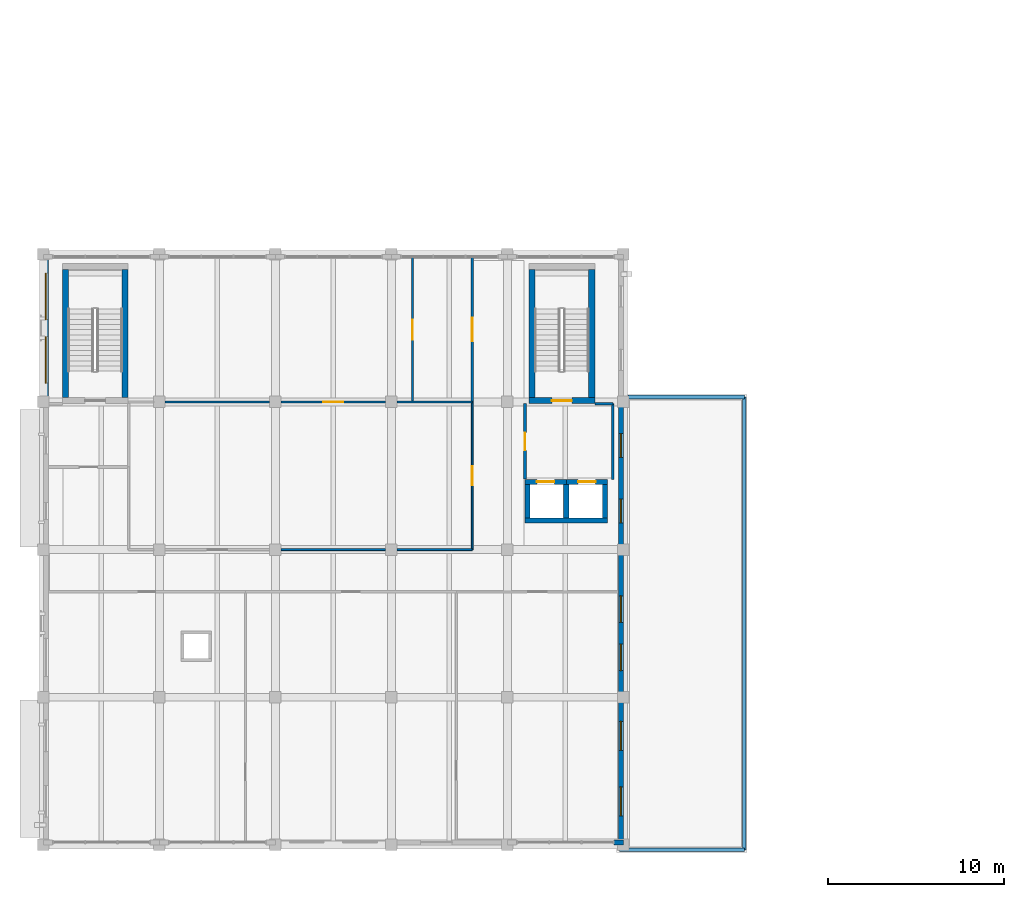
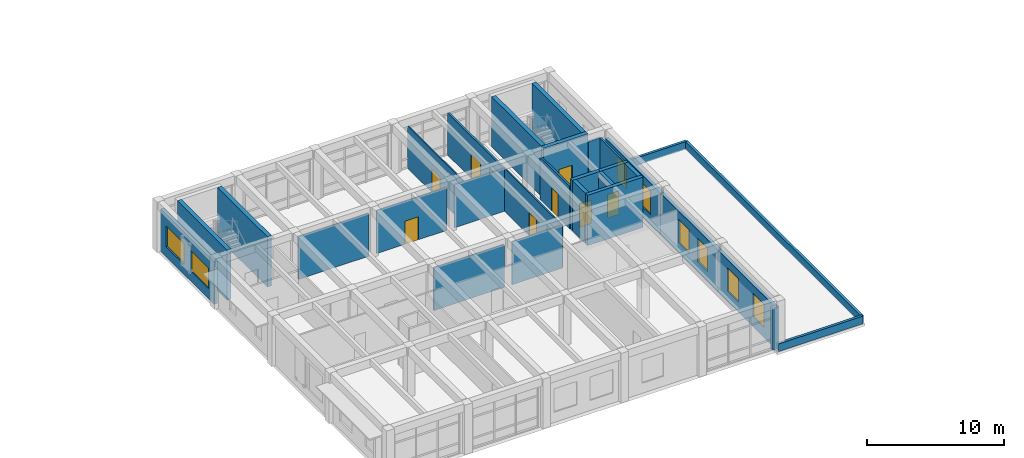
# One storey, part 27 of 50: 30 walls, 8 doors, 8 windows, 16 openings.
"""IFC4 building model written with IfcOpenShell, lengths in metres."""

from ifc_helpers import new_model, si_unit, direction, frame, frame_2d, origin, place, context, subcontext, project, spatial, rectangle, extrude, material, layer, layer_set, type_object, element, fill, save


model = new_model("IFC4")

# Units and contexts
model_context = context("Model", 3, precision=1e-05, world=origin(), true_north=direction((0.0, 1.0)))
body_context = subcontext(model_context, "Body", "Model", "MODEL_VIEW")
ifc_project = project(units=[si_unit("LENGTHUNIT", "METRE"), si_unit("AREAUNIT", "SQUARE_METRE"), si_unit("VOLUMEUNIT", "CUBIC_METRE"), si_unit("PLANEANGLEUNIT", "RADIAN"), si_unit("MASSUNIT", "GRAM", prefix="KILO")], contexts=[model_context])

# Site, building, storey
site_placement = place(None, origin())
site = spatial("IfcSite", under=ifc_project, at=site_placement, CompositionType="ELEMENT")
building_placement = place(site_placement, origin())
building = spatial("IfcBuilding", under=site, at=building_placement, Name="Kolvaren Faculty of Natural Sciences", CompositionType="ELEMENT")
storey_placement = place(building_placement, frame((0.0, 0.0, 15.0)))
storey = spatial("IfcBuildingStorey", under=building, at=storey_placement, Name="L03", CompositionType="ELEMENT", Elevation=15.0)

# Wall, opening, door
ifc_material_1 = material(Name="Acoustic mineral-wool insulated gypsum partition")
ifc_layer_1 = layer(ifc_material_1, 0.159912109375)
ifc_layer_set_1 = layer_set([ifc_layer_1], Name="Acoustic mineral-wool insulated gypsum partition")
wall_type_1 = type_object("IfcWallType", Name="ClassroomPartitionWall_160", PredefinedType="PARTITIONING", material=ifc_layer_set_1)
wall_1_placement = place(storey_placement, frame((31.199951171875, 42.0400390625, 0.0), z_axis=(0.0, 0.0, 1.0), x_axis=(0.0, -1.0, 0.0)))
wall_1 = element("IfcWall", 1, at=wall_1_placement, inside=storey, type_object=wall_type_1, Name="L03 interior partition PW-160", PredefinedType="PARTITIONING", context=body_context, shape_type="SweptSolid", body=[
    extrude(rectangle(XDim=8.239990234375, YDim=0.159912109375, at=frame_2d((4.1201171875, 0.0))), origin(), (0.0, 0.0, 1.0), 3.784912109375),
])
opening_1_placement = place(wall_1_placement, frame((3.43994140625, 0.0, 0.0)))
opening_1 = element("IfcOpeningElement", 2, at=opening_1_placement, cuts=wall_1, Name="Opening ID-26", PredefinedType="OPENING", context=body_context, shape_type="SweptSolid", body=[
    extrude(rectangle(XDim=1.360107421875, YDim=2.139892578125, at=frame_2d((0.68017578125, 1.06982421875))), frame((0.0, 0.08984375, 0.0), z_axis=(0.0, -1.0, 0.0), x_axis=(1.0, 0.0, 0.0)), (0.0, 0.0, 1.0), 0.179931640625),
])
ifc_material_2 = material(Name="Thermally broken anodised aluminium glazed door", Category="aluminium")
door_type_1 = type_object("IfcDoorType", Name="InteriorRoomDoor_1360x2140", OperationType="DOUBLE_DOOR_SINGLE_SWING", PredefinedType="DOOR", material=ifc_material_2)
door_1_placement = place(opening_1_placement, origin())
door_1 = element("IfcDoor", 3, at=door_1_placement, inside=storey, type_object=door_type_1, Name="D-L03-0262", OperationType="DOUBLE_DOOR_SINGLE_SWING", OverallHeight=2.139892578125, OverallWidth=1.360107421875, PredefinedType="DOOR", context=body_context, shape_type="SweptSolid", body=[
    extrude(rectangle(XDim=1.360107421875, YDim=2.139892578125, at=frame_2d((0.68017578125, 1.06982421875))), frame((0.0, 0.02490234375, 0.0), z_axis=(0.0, -1.0, 0.0), x_axis=(1.0, 0.0, 0.0)), (0.0, 0.0, 1.0), 0.050048828125),
])
fill(opening_1, door_1)

ifc_material_3 = material(Name="Concrete C40/50", Category="concrete")
ifc_layer_2 = layer(ifc_material_3, 0.35009765625)
ifc_layer_set_2 = layer_set([ifc_layer_2], Name="Concrete C40/50")
wall_type_2 = type_object("IfcWallType", Name="CoreShearWall_350", PredefinedType="SHEAR", material=ifc_layer_set_2)
wall_2_placement = place(storey_placement, frame((34.425048828125, 33.875, 0.0), z_axis=(0.0, 0.0, 1.0), x_axis=(1.0, 0.0, 0.0)))
wall_2 = element("IfcWall", 4, at=wall_2_placement, inside=storey, type_object=wall_type_2, Name="L03 CORE-C4 stair shear wall S", PredefinedType="SHEAR", context=body_context, shape_type="SweptSolid", body=[
    extrude(rectangle(XDim=3.75, YDim=0.35009765625, at=frame_2d((1.875, 0.0))), origin(), (0.0, 0.0, 1.0), 4.5),
])
opening_2_placement = place(wall_2_placement, frame((1.300048828125, 0.0, 0.0)))
opening_2 = element("IfcOpeningElement", 5, at=opening_2_placement, cuts=wall_2, Name="Opening FD90", PredefinedType="OPENING", context=body_context, shape_type="SweptSolid", body=[
    extrude(rectangle(XDim=1.14990234375, YDim=2.14990234375, at=frame_2d((0.574951171875, 1.074951171875))), frame((0.0, 0.18505859375, 0.0), z_axis=(0.0, -1.0, 0.0), x_axis=(1.0, 0.0, 0.0)), (0.0, 0.0, 1.0), 0.3701171875),
])
ifc_material_4 = material(Name="Fire-rated solid-core hardwood door leaf in steel frame", Category="steel")
door_type_2 = type_object("IfcDoorType", Name="StairCoreFireDoor_1150x2150", OperationType="NOTDEFINED", PredefinedType="DOOR", material=ifc_material_4)
door_2_placement = place(opening_2_placement, origin())
door_2 = element("IfcDoor", 6, at=door_2_placement, inside=storey, type_object=door_type_2, Name="D-ST-ST-4-L03", OperationType="SINGLE_SWING_LEFT", OverallHeight=2.14990234375, OverallWidth=1.14990234375, PredefinedType="DOOR", context=body_context, shape_type="SweptSolid", body=[
    extrude(rectangle(XDim=1.14990234375, YDim=2.14990234375, at=frame_2d((0.574951171875, 1.074951171875))), frame((0.0, 0.02490234375, 0.0), z_axis=(0.0, -1.0, 0.0), x_axis=(1.0, 0.0, 0.0)), (0.0, 0.0, 1.0), 0.050048828125),
])
fill(opening_2, door_2)

# Walls
for number, where, z_axis, x_axis, name in (
    (7, (34.60009765625, 34.050048828125, 0.0), (0.0, 0.0, 1.0), (0.0, 1.0, 0.0), "L03 CORE-C4 stair shear wall W"),
    (8, (38.0, 34.050048828125, 0.0), (0.0, 0.0, 1.0), (0.0, 1.0, 0.0), "L03 CORE-C4 stair shear wall E"),
    (9, (8.050048828125, 34.050048828125, 0.0), (0.0, 0.0, 1.0), (0.0, 1.0, 0.0), "L03 CORE-C8 stair shear wall W"),
    (10, (11.449951171875, 34.050048828125, 0.0), (0.0, 0.0, 1.0), (0.0, 1.0, 0.0), "L03 CORE-C8 stair shear wall E"),
):
    element("IfcWall", number, at=place(storey_placement, frame(where, z_axis=z_axis, x_axis=x_axis)), inside=storey, type_object=wall_type_2, Name=name, PredefinedType="SHEAR", context=body_context, shape_type="SweptSolid", body=[
        extrude(rectangle(XDim=7.27490234375, YDim=0.35009765625, at=frame_2d((3.637451171875, 0.0))), origin(), (0.0, 0.0, 1.0), 4.5),
    ])

# Wall, opening, door
ifc_layer_3 = layer(ifc_material_1, 0.094970703125)
ifc_layer_set_3 = layer_set([ifc_layer_3], Name="Acoustic mineral-wool insulated gypsum partition")
wall_type_3 = type_object("IfcWallType", Name="CubiclePartition_095", PredefinedType="PARTITIONING", material=ifc_layer_set_3)
wall_3_placement = place(storey_placement, frame((27.800048828125, 42.0400390625, 0.0), z_axis=(0.0, 0.0, 1.0), x_axis=(0.0, -1.0, 0.0)))
wall_3 = element("IfcWall", 11, at=wall_3_placement, inside=storey, type_object=wall_type_3, Name="L03 interior partition PW-095", PredefinedType="PARTITIONING", context=body_context, shape_type="SweptSolid", body=[
    extrude(rectangle(XDim=8.239990234375, YDim=0.094970703125, at=frame_2d((4.1201171875, 0.0))), origin(), (0.0, 0.0, 1.0), 3.784912109375),
])
opening_3_placement = place(wall_3_placement, frame((3.550048828125, 0.0, 0.0)))
opening_3 = element("IfcOpeningElement", 12, at=opening_3_placement, cuts=wall_3, Name="Opening ID-11", PredefinedType="OPENING", context=body_context, shape_type="SweptSolid", body=[
    extrude(rectangle(XDim=1.139892578125, YDim=2.06005859375, at=frame_2d((0.56982421875, 1.030029296875))), frame((0.0, 0.057373046875, 0.0), z_axis=(0.0, -1.0, 0.0), x_axis=(1.0, 0.0, 0.0)), (0.0, 0.0, 1.0), 0.114990234375),
])
ifc_material_5 = material(Name="Solid-core hardwood veneer door leaf in steel frame", Category="steel")
door_type_3 = type_object("IfcDoorType", Name="InteriorRoomDoor_1140x2060", OperationType="NOTDEFINED", PredefinedType="DOOR", material=ifc_material_5)
door_3_placement = place(opening_3_placement, origin())
door_3 = element("IfcDoor", 13, at=door_3_placement, inside=storey, type_object=door_type_3, Name="D-L03-0242", OperationType="SINGLE_SWING_LEFT", OverallHeight=2.06005859375, OverallWidth=1.139892578125, PredefinedType="DOOR", context=body_context, shape_type="SweptSolid", body=[
    extrude(rectangle(XDim=1.139892578125, YDim=2.06005859375, at=frame_2d((0.56982421875, 1.030029296875))), frame((0.0, 0.02490234375, 0.0), z_axis=(0.0, -1.0, 0.0), x_axis=(1.0, 0.0, 0.0)), (0.0, 0.0, 1.0), 0.050048828125),
])
fill(opening_3, door_3)

# Wall, openings, windows
ifc_material_6 = material(Name="Precast concrete C35/45", Category="concrete")
ifc_layer_4 = layer(ifc_material_6, 0.280029296875)
ifc_layer_set_4 = layer_set([ifc_layer_4], Name="Precast concrete C35/45")
wall_type_4 = type_object("IfcWallType", Name="ExteriorPrecastWall_280", PredefinedType="STANDARD", material=ifc_layer_set_4)
wall_4_placement = place(storey_placement, frame((6.93994140625, 34.080078125, 0.0), z_axis=(0.0, 0.0, 1.0), x_axis=(0.0, 1.0, 0.0)))
wall_4 = element("IfcWall", 14, at=wall_4_placement, inside=storey, type_object=wall_type_4, Name="L03 exterior masonry wall EW-280 (475)", PredefinedType="STANDARD", context=body_context, shape_type="SweptSolid", body=[
    extrude(rectangle(XDim=7.83984375, YDim=0.280029296875, at=frame_2d((3.919921875, 0.0))), origin(), (0.0, 0.0, 1.0), 3.784912109375),
])
opening_4_placement = place(wall_4_placement, frame((0.791748046875, 0.0, 0.89990234375)))
opening_4 = element("IfcOpeningElement", 15, at=opening_4_placement, cuts=wall_4, Name="Opening WIN-24", PredefinedType="OPENING", context=body_context, shape_type="SweptSolid", body=[
    extrude(rectangle(XDim=2.64990234375, YDim=1.85009765625, at=frame_2d((1.324951171875, 0.925048828125))), frame((0.0, 0.14990234375, 0.0), z_axis=(0.0, -1.0, 0.0), x_axis=(1.0, 0.0, 0.0)), (0.0, 0.0, 1.0), 0.300048828125),
])
opening_5_placement = place(wall_4_placement, frame((4.398193359375, 0.0, 0.89990234375)))
opening_5 = element("IfcOpeningElement", 16, at=opening_5_placement, cuts=wall_4, Name="Opening WIN-24", PredefinedType="OPENING", context=body_context, shape_type="SweptSolid", body=[
    extrude(rectangle(XDim=2.64990234375, YDim=1.85009765625, at=frame_2d((1.324951171875, 0.925048828125))), frame((0.0, 0.14990234375, 0.0), z_axis=(0.0, -1.0, 0.0), x_axis=(1.0, 0.0, 0.0)), (0.0, 0.0, 1.0), 0.300048828125),
])
ifc_material_7 = material(Name="Double low-E solar control insulated glazing", Category="glass")
window_type_1 = type_object("IfcWindowType", Name="AluWindow_WIN24_2650x1850", PartitioningType="SINGLE_PANEL", PredefinedType="WINDOW", material=ifc_material_7)
window_1_placement = place(opening_4_placement, origin())
window_1 = element("IfcWindow", 17, at=window_1_placement, inside=storey, type_object=window_type_1, Name="WIN-L03-0305", OverallHeight=1.85009765625, OverallWidth=2.64990234375, PartitioningType="SINGLE_PANEL", PredefinedType="WINDOW", context=body_context, shape_type="SweptSolid", body=[
    extrude(rectangle(XDim=2.64990234375, YDim=1.85009765625, at=frame_2d((1.324951171875, 0.925048828125))), frame((0.0, 0.030029296875, 0.0), z_axis=(0.0, -1.0, 0.0), x_axis=(1.0, 0.0, 0.0)), (0.0, 0.0, 1.0), 0.06005859375),
])
fill(opening_4, window_1)
window_2_placement = place(opening_5_placement, origin())
window_2 = element("IfcWindow", 18, at=window_2_placement, inside=storey, type_object=window_type_1, Name="WIN-L03-0306", OverallHeight=1.85009765625, OverallWidth=2.64990234375, PartitioningType="SINGLE_PANEL", PredefinedType="WINDOW", context=body_context, shape_type="SweptSolid", body=[
    extrude(rectangle(XDim=2.64990234375, YDim=1.85009765625, at=frame_2d((1.324951171875, 0.925048828125))), frame((0.0, 0.030029296875, 0.0), z_axis=(0.0, -1.0, 0.0), x_axis=(1.0, 0.0, 0.0)), (0.0, 0.0, 1.0), 0.06005859375),
])
fill(opening_5, window_2)

wall_5_placement = place(storey_placement, frame((39.659912109375, 33.52001953125, 0.0), z_axis=(0.0, 0.0, 1.0), x_axis=(0.0, -1.0, 0.0)))
wall_5 = element("IfcWall", 19, at=wall_5_placement, inside=storey, type_object=wall_type_4, Name="L03 exterior masonry wall EW-280 (487)", PredefinedType="STANDARD", context=body_context, shape_type="SweptSolid", body=[
    extrude(rectangle(XDim=8.1201171875, YDim=0.280029296875, at=frame_2d((4.06005859375, 0.0))), origin(), (0.0, 0.0, 1.0), 3.735107421875),
])
opening_6_placement = place(wall_5_placement, frame((1.517333984375, 0.0, 0.89990234375)))
opening_6 = element("IfcOpeningElement", 20, at=opening_6_placement, cuts=wall_5, Name="Opening WIN-02", PredefinedType="OPENING", context=body_context, shape_type="SweptSolid", body=[
    extrude(rectangle(XDim=1.35009765625, YDim=2.10009765625, at=frame_2d((0.675048828125, 1.050048828125))), frame((0.0, 0.14990234375, 0.0), z_axis=(0.0, -1.0, 0.0), x_axis=(1.0, 0.0, 0.0)), (0.0, 0.0, 1.0), 0.300048828125),
])
opening_7_placement = place(wall_5_placement, frame((5.252685546875, 0.0, 0.89990234375)))
opening_7 = element("IfcOpeningElement", 21, at=opening_7_placement, cuts=wall_5, Name="Opening WIN-02", PredefinedType="OPENING", context=body_context, shape_type="SweptSolid", body=[
    extrude(rectangle(XDim=1.35009765625, YDim=2.10009765625, at=frame_2d((0.675048828125, 1.050048828125))), frame((0.0, 0.14990234375, 0.0), z_axis=(0.0, -1.0, 0.0), x_axis=(1.0, 0.0, 0.0)), (0.0, 0.0, 1.0), 0.300048828125),
])
window_type_2 = type_object("IfcWindowType", Name="AluWindow_WIN02_1350x2100", PartitioningType="SINGLE_PANEL", PredefinedType="WINDOW", material=ifc_material_7)
window_3_placement = place(opening_6_placement, origin())
window_3 = element("IfcWindow", 22, at=window_3_placement, inside=storey, type_object=window_type_2, Name="WIN-L03-0309", OverallHeight=2.10009765625, OverallWidth=1.35009765625, PartitioningType="SINGLE_PANEL", PredefinedType="WINDOW", context=body_context, shape_type="SweptSolid", body=[
    extrude(rectangle(XDim=1.35009765625, YDim=2.10009765625, at=frame_2d((0.675048828125, 1.050048828125))), frame((0.0, 0.030029296875, 0.0), z_axis=(0.0, -1.0, 0.0), x_axis=(1.0, 0.0, 0.0)), (0.0, 0.0, 1.0), 0.06005859375),
])
fill(opening_6, window_3)
window_4_placement = place(opening_7_placement, origin())
window_4 = element("IfcWindow", 23, at=window_4_placement, inside=storey, type_object=window_type_2, Name="WIN-L03-0310", OverallHeight=2.10009765625, OverallWidth=1.35009765625, PartitioningType="SINGLE_PANEL", PredefinedType="WINDOW", context=body_context, shape_type="SweptSolid", body=[
    extrude(rectangle(XDim=1.35009765625, YDim=2.10009765625, at=frame_2d((0.675048828125, 1.050048828125))), frame((0.0, 0.030029296875, 0.0), z_axis=(0.0, -1.0, 0.0), x_axis=(1.0, 0.0, 0.0)), (0.0, 0.0, 1.0), 0.06005859375),
])
fill(opening_7, window_4)

wall_6_placement = place(storey_placement, frame((39.659912109375, 25.39990234375, 0.0), z_axis=(0.0, 0.0, 1.0), x_axis=(0.0, -1.0, 0.0)))
wall_6 = element("IfcWall", 24, at=wall_6_placement, inside=storey, type_object=wall_type_4, Name="L03 exterior masonry wall EW-280 (488)", PredefinedType="STANDARD", context=body_context, shape_type="SweptSolid", body=[
    extrude(rectangle(XDim=8.39990234375, YDim=0.280029296875, at=frame_2d((4.199951171875, 0.0))), origin(), (0.0, 0.0, 1.0), 3.735107421875),
])
opening_8_placement = place(wall_6_placement, frame((2.639892578125, 0.0, 0.89990234375)))
opening_8 = element("IfcOpeningElement", 25, at=opening_8_placement, cuts=wall_6, Name="Opening WIN-03", PredefinedType="OPENING", context=body_context, shape_type="SweptSolid", body=[
    extrude(rectangle(XDim=1.5, YDim=2.10009765625, at=frame_2d((0.75, 1.050048828125))), frame((0.0, 0.14990234375, 0.0), z_axis=(0.0, -1.0, 0.0), x_axis=(1.0, 0.0, 0.0)), (0.0, 0.0, 1.0), 0.300048828125),
])
opening_9_placement = place(wall_6_placement, frame((5.382080078125, 0.0, 0.89990234375)))
opening_9 = element("IfcOpeningElement", 26, at=opening_9_placement, cuts=wall_6, Name="Opening WIN-03", PredefinedType="OPENING", context=body_context, shape_type="SweptSolid", body=[
    extrude(rectangle(XDim=1.5, YDim=2.10009765625, at=frame_2d((0.75, 1.050048828125))), frame((0.0, 0.14990234375, 0.0), z_axis=(0.0, -1.0, 0.0), x_axis=(1.0, 0.0, 0.0)), (0.0, 0.0, 1.0), 0.300048828125),
])
window_type_3 = type_object("IfcWindowType", Name="AluWindow_WIN03_1500x2100", PartitioningType="SINGLE_PANEL", PredefinedType="WINDOW", material=ifc_material_7)
window_5_placement = place(opening_8_placement, origin())
window_5 = element("IfcWindow", 27, at=window_5_placement, inside=storey, type_object=window_type_3, Name="WIN-L03-0311", OverallHeight=2.10009765625, OverallWidth=1.5, PartitioningType="SINGLE_PANEL", PredefinedType="WINDOW", context=body_context, shape_type="SweptSolid", body=[
    extrude(rectangle(XDim=1.5, YDim=2.10009765625, at=frame_2d((0.75, 1.050048828125))), frame((0.0, 0.030029296875, 0.0), z_axis=(0.0, -1.0, 0.0), x_axis=(1.0, 0.0, 0.0)), (0.0, 0.0, 1.0), 0.06005859375),
])
fill(opening_8, window_5)
window_6_placement = place(opening_9_placement, origin())
window_6 = element("IfcWindow", 28, at=window_6_placement, inside=storey, type_object=window_type_3, Name="WIN-L03-0312", OverallHeight=2.10009765625, OverallWidth=1.5, PartitioningType="SINGLE_PANEL", PredefinedType="WINDOW", context=body_context, shape_type="SweptSolid", body=[
    extrude(rectangle(XDim=1.5, YDim=2.10009765625, at=frame_2d((0.75, 1.050048828125))), frame((0.0, 0.030029296875, 0.0), z_axis=(0.0, -1.0, 0.0), x_axis=(1.0, 0.0, 0.0)), (0.0, 0.0, 1.0), 0.06005859375),
])
fill(opening_9, window_6)

wall_7_placement = place(storey_placement, frame((39.659912109375, 17.0, 0.0), z_axis=(0.0, 0.0, 1.0), x_axis=(0.0, -1.0, 0.0)))
wall_7 = element("IfcWall", 29, at=wall_7_placement, inside=storey, type_object=wall_type_4, Name="L03 exterior masonry wall EW-280 (489)", PredefinedType="STANDARD", context=body_context, shape_type="SweptSolid", body=[
    extrude(rectangle(XDim=8.1201171875, YDim=0.280029296875, at=frame_2d((4.06005859375, 0.0))), origin(), (0.0, 0.0, 1.0), 3.735107421875),
])
opening_10_placement = place(wall_7_placement, frame((1.367431640625, 0.0, 0.89990234375)))
opening_10 = element("IfcOpeningElement", 30, at=opening_10_placement, cuts=wall_7, Name="Opening WIN-04", PredefinedType="OPENING", context=body_context, shape_type="SweptSolid", body=[
    extrude(rectangle(XDim=1.64990234375, YDim=2.10009765625, at=frame_2d((0.824951171875, 1.050048828125))), frame((0.0, 0.14990234375, 0.0), z_axis=(0.0, -1.0, 0.0), x_axis=(1.0, 0.0, 0.0)), (0.0, 0.0, 1.0), 0.300048828125),
])
opening_11_placement = place(wall_7_placement, frame((5.1025390625, 0.0, 0.89990234375)))
opening_11 = element("IfcOpeningElement", 31, at=opening_11_placement, cuts=wall_7, Name="Opening WIN-04", PredefinedType="OPENING", context=body_context, shape_type="SweptSolid", body=[
    extrude(rectangle(XDim=1.64990234375, YDim=2.10009765625, at=frame_2d((0.824951171875, 1.050048828125))), frame((0.0, 0.14990234375, 0.0), z_axis=(0.0, -1.0, 0.0), x_axis=(1.0, 0.0, 0.0)), (0.0, 0.0, 1.0), 0.300048828125),
])
window_type_4 = type_object("IfcWindowType", Name="AluWindow_WIN04_1650x2100", PartitioningType="SINGLE_PANEL", PredefinedType="WINDOW", material=ifc_material_7)
window_7_placement = place(opening_10_placement, origin())
window_7 = element("IfcWindow", 32, at=window_7_placement, inside=storey, type_object=window_type_4, Name="WIN-L03-0313", OverallHeight=2.10009765625, OverallWidth=1.64990234375, PartitioningType="SINGLE_PANEL", PredefinedType="WINDOW", context=body_context, shape_type="SweptSolid", body=[
    extrude(rectangle(XDim=1.64990234375, YDim=2.10009765625, at=frame_2d((0.824951171875, 1.050048828125))), frame((0.0, 0.030029296875, 0.0), z_axis=(0.0, -1.0, 0.0), x_axis=(1.0, 0.0, 0.0)), (0.0, 0.0, 1.0), 0.06005859375),
])
fill(opening_10, window_7)
window_8_placement = place(opening_11_placement, origin())
window_8 = element("IfcWindow", 33, at=window_8_placement, inside=storey, type_object=window_type_4, Name="WIN-L03-0314", OverallHeight=2.10009765625, OverallWidth=1.64990234375, PartitioningType="SINGLE_PANEL", PredefinedType="WINDOW", context=body_context, shape_type="SweptSolid", body=[
    extrude(rectangle(XDim=1.64990234375, YDim=2.10009765625, at=frame_2d((0.824951171875, 1.050048828125))), frame((0.0, 0.030029296875, 0.0), z_axis=(0.0, -1.0, 0.0), x_axis=(1.0, 0.0, 0.0)), (0.0, 0.0, 1.0), 0.06005859375),
])
fill(opening_11, window_8)

# Walls
wall_8_placement = place(storey_placement, frame((39.800048828125, 8.739990234375, 0.0), z_axis=(0.0, 0.0, 1.0), x_axis=(-1.0, 0.0, 0.0)))
element("IfcWall", 34, at=wall_8_placement, inside=storey, type_object=wall_type_4, Name="L03 curtain-wall pier stub 490", PredefinedType="STANDARD", context=body_context, shape_type="SweptSolid", body=[
    extrude(rectangle(XDim=0.52001953125, YDim=0.280029296875, at=frame_2d((0.260009765625, 0.0))), origin(), (0.0, 0.0, 1.0), 3.735107421875),
])
ifc_layer_5 = layer(ifc_material_6, 0.219970703125)
ifc_layer_set_5 = layer_set([ifc_layer_5], Name="Precast concrete C35/45")
wall_type_5 = type_object("IfcWallType", Name="ParapetUpstandWall_220", PredefinedType="PARAPET", material=ifc_layer_set_5)
wall_9_placement = place(storey_placement, frame((40.050048828125, 34.080078125, 0.0), z_axis=(0.0, 0.0, 1.0), x_axis=(1.0, 0.0, 0.0)))
element("IfcWall", 35, at=wall_9_placement, inside=storey, type_object=wall_type_5, Name="L03 architectural sandstone roof parapet 41", PredefinedType="PARAPET", context=body_context, shape_type="SweptSolid", body=[
    extrude(rectangle(XDim=6.6298828125, YDim=0.219970703125, at=frame_2d((3.31494140625, 0.0))), origin(), (0.0, 0.0, 1.0), 0.679931640625),
])
wall_10_placement = place(storey_placement, frame((46.679931640625, 34.080078125, 0.0), z_axis=(0.0, 0.0, 1.0), x_axis=(0.0, -1.0, 0.0)))
element("IfcWall", 36, at=wall_10_placement, inside=storey, type_object=wall_type_5, Name="L03 architectural sandstone roof parapet 42", PredefinedType="PARAPET", context=body_context, shape_type="SweptSolid", body=[
    extrude(rectangle(XDim=25.760009765625, YDim=0.219970703125, at=frame_2d((12.8798828125, 0.0))), origin(), (0.0, 0.0, 1.0), 0.679931640625),
])
wall_11_placement = place(storey_placement, frame((46.679931640625, 8.320068359375, 0.0), z_axis=(0.0, 0.0, 1.0), x_axis=(-1.0, 0.0, 0.0)))
element("IfcWall", 37, at=wall_11_placement, inside=storey, type_object=wall_type_5, Name="L03 architectural sandstone roof parapet 43", PredefinedType="PARAPET", context=body_context, shape_type="SweptSolid", body=[
    extrude(rectangle(XDim=7.10986328125, YDim=0.219970703125, at=frame_2d((3.554931640625, 0.0))), origin(), (0.0, 0.0, 1.0), 0.679931640625),
])
ifc_material_8 = material(Name="Double fire-rated gypsum board on 100 mm steel stud", Category="steel")
ifc_layer_6 = layer(ifc_material_8, 0.14990234375)
ifc_layer_set_6 = layer_set([ifc_layer_6], Name="Double fire-rated gypsum board on 100 mm steel stud")
wall_type_6 = type_object("IfcWallType", Name="RatedCorridorWall_150", PredefinedType="PARTITIONING", material=ifc_layer_set_6)
wall_12_placement = place(storey_placement, frame((38.175048828125, 33.699951171875, 0.0), z_axis=(0.0, 0.0, 1.0), x_axis=(1.0, 0.0, 0.0)))
element("IfcWall", 38, at=wall_12_placement, inside=storey, type_object=wall_type_6, Name="L03 interior partition LW-150", PredefinedType="PARTITIONING", context=body_context, shape_type="SweptSolid", body=[
    extrude(rectangle(XDim=1.02490234375, YDim=0.14990234375, at=frame_2d((0.512451171875, 0.0))), origin(), (0.0, 0.0, 1.0), 3.8349609375),
])
wall_13_placement = place(storey_placement, frame((39.199951171875, 33.699951171875, 0.0), z_axis=(0.0, 0.0, 1.0), x_axis=(0.0, -1.0, 0.0)))
element("IfcWall", 39, at=wall_13_placement, inside=storey, type_object=wall_type_6, Name="L03 interior partition LW-150", PredefinedType="PARTITIONING", context=body_context, shape_type="SweptSolid", body=[
    extrude(rectangle(XDim=4.300048828125, YDim=0.14990234375, at=frame_2d((2.14990234375, 0.0))), origin(), (0.0, 0.0, 1.0), 3.8349609375),
])

# Wall, opening, door
wall_14_placement = place(storey_placement, frame((34.199951171875, 29.402099609375, 0.0), z_axis=(0.0, 0.0, 1.0), x_axis=(0.0, 1.0, 0.0)))
wall_14 = element("IfcWall", 40, at=wall_14_placement, inside=storey, type_object=wall_type_6, Name="L03 interior partition LW-150", PredefinedType="PARTITIONING", context=body_context, shape_type="SweptSolid", body=[
    extrude(rectangle(XDim=4.2978515625, YDim=0.14990234375, at=frame_2d((2.14892578125, 0.0))), origin(), (0.0, 0.0, 1.0), 3.8349609375),
])
opening_12_placement = place(wall_14_placement, frame((1.64892578125, 0.0, 0.0)))
opening_12 = element("IfcOpeningElement", 41, at=opening_12_placement, cuts=wall_14, Name="Opening FD30", PredefinedType="OPENING", context=body_context, shape_type="SweptSolid", body=[
    extrude(rectangle(XDim=1.0, YDim=2.10009765625, at=frame_2d((0.5, 1.050048828125))), frame((0.0, 0.0849609375, 0.0), z_axis=(0.0, -1.0, 0.0), x_axis=(1.0, 0.0, 0.0)), (0.0, 0.0, 1.0), 0.169921875),
])
door_type_4 = type_object("IfcDoorType", Name="CorridorFireDoor_1000x2100", OperationType="NOTDEFINED", PredefinedType="DOOR", material=ifc_material_4)
door_4_placement = place(opening_12_placement, origin())
door_4 = element("IfcDoor", 42, at=door_4_placement, inside=storey, type_object=door_type_4, Name="D-L03-0225", OperationType="SINGLE_SWING_RIGHT", OverallHeight=2.10009765625, OverallWidth=1.0, PredefinedType="DOOR", context=body_context, shape_type="SweptSolid", body=[
    extrude(rectangle(XDim=1.0, YDim=2.10009765625, at=frame_2d((0.5, 1.050048828125))), frame((0.0, 0.02490234375, 0.0), z_axis=(0.0, -1.0, 0.0), x_axis=(1.0, 0.0, 0.0)), (0.0, 0.0, 1.0), 0.050048828125),
])
fill(opening_12, door_4)

# Wall
ifc_layer_7 = layer(ifc_material_3, 0.300048828125)
ifc_layer_set_7 = layer_set([ifc_layer_7], Name="Concrete C40/50")
wall_type_7 = type_object("IfcWallType", Name="ShaftShearWall_300", PredefinedType="SHEAR", material=ifc_layer_set_7)
wall_15_placement = place(storey_placement, frame((34.199951171875, 27.050048828125, 0.0), z_axis=(0.0, 0.0, 1.0), x_axis=(1.0, 0.0, 0.0)))
element("IfcWall", 43, at=wall_15_placement, inside=storey, type_object=wall_type_7, Name="L03 twin lift shaft wall S", PredefinedType="SHEAR", context=body_context, shape_type="SweptSolid", body=[
    extrude(rectangle(XDim=4.699951171875, YDim=0.300048828125, at=frame_2d((2.35009765625, 0.0))), origin(), (0.0, 0.0, 1.0), 4.5),
])

# Wall, opening, door
wall_16_placement = place(storey_placement, frame((34.199951171875, 29.25, 0.0), z_axis=(0.0, 0.0, 1.0), x_axis=(1.0, 0.0, 0.0)))
wall_16 = element("IfcWall", 44, at=wall_16_placement, inside=storey, type_object=wall_type_7, Name="L03 lift PL-2 shaft wall N", PredefinedType="SHEAR", context=body_context, shape_type="SweptSolid", body=[
    extrude(rectangle(XDim=2.35009765625, YDim=0.300048828125, at=frame_2d((1.175048828125, 0.0))), origin(), (0.0, 0.0, 1.0), 4.5),
])
opening_13_placement = place(wall_16_placement, frame((0.675048828125, 0.0, 0.0)))
opening_13 = element("IfcOpeningElement", 45, at=opening_13_placement, cuts=wall_16, Name="Opening LD-02", PredefinedType="OPENING", context=body_context, shape_type="SweptSolid", body=[
    extrude(rectangle(XDim=1.0, YDim=2.10009765625, at=frame_2d((0.5, 1.050048828125))), frame((0.0, 0.159912109375, 0.0), z_axis=(0.0, -1.0, 0.0), x_axis=(1.0, 0.0, 0.0)), (0.0, 0.0, 1.0), 0.320068359375),
])
ifc_material_9 = material(Name="Brushed stainless steel lift car and sliding door assembly", Category="steel")
door_type_5 = type_object("IfcDoorType", Name="LiftLandingSliding_1000x2100", OperationType="SLIDING_TO_LEFT", PredefinedType="DOOR", material=ifc_material_9)
door_5_placement = place(opening_13_placement, origin())
door_5 = element("IfcDoor", 46, at=door_5_placement, inside=storey, type_object=door_type_5, Name="D-LIFT-PL-2-L03", OperationType="SLIDING_TO_LEFT", OverallHeight=2.10009765625, OverallWidth=1.0, PredefinedType="DOOR", context=body_context, shape_type="SweptSolid", body=[
    extrude(rectangle(XDim=1.0, YDim=2.10009765625, at=frame_2d((0.5, 1.050048828125))), frame((0.0, 0.02490234375, 0.0), z_axis=(0.0, -1.0, 0.0), x_axis=(1.0, 0.0, 0.0)), (0.0, 0.0, 1.0), 0.050048828125),
])
fill(opening_13, door_5)

wall_17_placement = place(storey_placement, frame((36.550048828125, 29.25, 0.0), z_axis=(0.0, 0.0, 1.0), x_axis=(1.0, 0.0, 0.0)))
wall_17 = element("IfcWall", 47, at=wall_17_placement, inside=storey, type_object=wall_type_7, Name="L03 lift PL-4 shaft wall N", PredefinedType="SHEAR", context=body_context, shape_type="SweptSolid", body=[
    extrude(rectangle(XDim=2.349853515625, YDim=0.300048828125, at=frame_2d((1.1748046875, 0.0))), origin(), (0.0, 0.0, 1.0), 4.5),
])
opening_14_placement = place(wall_17_placement, frame((0.675048828125, 0.0, 0.0)))
opening_14 = element("IfcOpeningElement", 48, at=opening_14_placement, cuts=wall_17, Name="Opening LD-02", PredefinedType="OPENING", context=body_context, shape_type="SweptSolid", body=[
    extrude(rectangle(XDim=1.0, YDim=2.10009765625, at=frame_2d((0.5, 1.050048828125))), frame((0.0, 0.159912109375, 0.0), z_axis=(0.0, -1.0, 0.0), x_axis=(1.0, 0.0, 0.0)), (0.0, 0.0, 1.0), 0.320068359375),
])
door_6_placement = place(opening_14_placement, origin())
door_6 = element("IfcDoor", 49, at=door_6_placement, inside=storey, type_object=door_type_5, Name="D-LIFT-PL-4-L03", OperationType="SLIDING_TO_LEFT", OverallHeight=2.10009765625, OverallWidth=1.0, PredefinedType="DOOR", context=body_context, shape_type="SweptSolid", body=[
    extrude(rectangle(XDim=1.0, YDim=2.10009765625, at=frame_2d((0.5, 1.050048828125))), frame((0.0, 0.02490234375, 0.0), z_axis=(0.0, -1.0, 0.0), x_axis=(1.0, 0.0, 0.0)), (0.0, 0.0, 1.0), 0.050048828125),
])
fill(opening_14, door_6)

# Walls
for number, where, z_axis, x_axis, name in (
    (50, (34.35009765625, 27.199951171875, 0.0), (0.0, 0.0, 1.0), (0.0, 1.0, 0.0), "L03 lift PL-2 shaft wall W"),
    (51, (36.550048828125, 27.199951171875, 0.0), (0.0, 0.0, 1.0), (0.0, 1.0, 0.0), "L03 twin lift divider wall"),
    (52, (38.75, 27.199951171875, 0.0), (0.0, 0.0, 1.0), (0.0, 1.0, 0.0), "L03 lift PL-4 shaft wall E"),
):
    element("IfcWall", number, at=place(storey_placement, frame(where, z_axis=z_axis, x_axis=x_axis)), inside=storey, type_object=wall_type_7, Name=name, PredefinedType="SHEAR", context=body_context, shape_type="SweptSolid", body=[
        extrude(rectangle(XDim=1.900146484375, YDim=0.300048828125, at=frame_2d((0.9501953125, 0.0))), origin(), (0.0, 0.0, 1.0), 4.5),
    ])
ifc_layer_8 = layer(ifc_material_1, 0.10498046875)
ifc_layer_set_8 = layer_set([ifc_layer_8], Name="Acoustic mineral-wool insulated gypsum partition")
wall_type_8 = type_object("IfcWallType", Name="WetRoomPartition_105", PredefinedType="PARTITIONING", material=ifc_layer_set_8)
wall_18_placement = place(storey_placement, frame((13.72509765625, 33.800048828125, 0.0), z_axis=(0.0, 0.0, 1.0), x_axis=(1.0, 0.0, 0.0)))
element("IfcWall", 53, at=wall_18_placement, inside=storey, type_object=wall_type_8, Name="L03 interior partition PW-105", PredefinedType="PARTITIONING", context=body_context, shape_type="SweptSolid", body=[
    extrude(rectangle(XDim=5.949951171875, YDim=0.10498046875, at=frame_2d((2.97509765625, 0.0))), origin(), (0.0, 0.0, 1.0), 3.8349609375),
])

# Wall, opening, door
wall_19_placement = place(storey_placement, frame((20.324951171875, 33.800048828125, 0.0), z_axis=(0.0, 0.0, 1.0), x_axis=(1.0, 0.0, 0.0)))
wall_19 = element("IfcWall", 54, at=wall_19_placement, inside=storey, type_object=wall_type_8, Name="L03 interior partition PW-105", PredefinedType="PARTITIONING", context=body_context, shape_type="SweptSolid", body=[
    extrude(rectangle(XDim=5.949951171875, YDim=0.10498046875, at=frame_2d((2.97509765625, 0.0))), origin(), (0.0, 0.0, 1.0), 3.8349609375),
])
opening_15_placement = place(wall_19_placement, frame((2.405029296875, 0.0, 0.0)))
opening_15 = element("IfcOpeningElement", 55, at=opening_15_placement, cuts=wall_19, Name="Opening ID-11", PredefinedType="OPENING", context=body_context, shape_type="SweptSolid", body=[
    extrude(rectangle(XDim=1.139892578125, YDim=2.06005859375, at=frame_2d((0.56982421875, 1.030029296875))), frame((0.0, 0.0625, 0.0), z_axis=(0.0, -1.0, 0.0), x_axis=(1.0, 0.0, 0.0)), (0.0, 0.0, 1.0), 0.125),
])
door_7_placement = place(opening_15_placement, origin())
door_7 = element("IfcDoor", 56, at=door_7_placement, inside=storey, type_object=door_type_3, Name="D-L03-0243", OperationType="SINGLE_SWING_RIGHT", OverallHeight=2.06005859375, OverallWidth=1.139892578125, PredefinedType="DOOR", context=body_context, shape_type="SweptSolid", body=[
    extrude(rectangle(XDim=1.139892578125, YDim=2.06005859375, at=frame_2d((0.56982421875, 1.030029296875))), frame((0.0, 0.02490234375, 0.0), z_axis=(0.0, -1.0, 0.0), x_axis=(1.0, 0.0, 0.0)), (0.0, 0.0, 1.0), 0.050048828125),
])
fill(opening_15, door_7)

# Wall
wall_20_placement = place(storey_placement, frame((26.925048828125, 33.800048828125, 0.0), z_axis=(0.0, 0.0, 1.0), x_axis=(1.0, 0.0, 0.0)))
element("IfcWall", 57, at=wall_20_placement, inside=storey, type_object=wall_type_8, Name="L03 interior partition PW-105", PredefinedType="PARTITIONING", context=body_context, shape_type="SweptSolid", body=[
    extrude(rectangle(XDim=4.27490234375, YDim=0.10498046875, at=frame_2d((2.137451171875, 0.0))), origin(), (0.0, 0.0, 1.0), 3.8349609375),
])

# Wall, opening, door
wall_21_placement = place(storey_placement, frame((31.199951171875, 33.800048828125, 0.0), z_axis=(0.0, 0.0, 1.0), x_axis=(0.0, -1.0, 0.0)))
wall_21 = element("IfcWall", 58, at=wall_21_placement, inside=storey, type_object=wall_type_8, Name="L03 interior partition PW-105", PredefinedType="PARTITIONING", context=body_context, shape_type="SweptSolid", body=[
    extrude(rectangle(XDim=8.400146484375, YDim=0.10498046875, at=frame_2d((4.2001953125, 0.0))), origin(), (0.0, 0.0, 1.0), 3.8349609375),
])
opening_16_placement = place(wall_21_placement, frame((3.64990234375, 0.0, 0.0)))
opening_16 = element("IfcOpeningElement", 59, at=opening_16_placement, cuts=wall_21, Name="Opening ID-10", PredefinedType="OPENING", context=body_context, shape_type="SweptSolid", body=[
    extrude(rectangle(XDim=1.10009765625, YDim=2.06005859375, at=frame_2d((0.550048828125, 1.030029296875))), frame((0.0, 0.0625, 0.0), z_axis=(0.0, -1.0, 0.0), x_axis=(1.0, 0.0, 0.0)), (0.0, 0.0, 1.0), 0.125),
])
door_type_6 = type_object("IfcDoorType", Name="InteriorRoomDoor_1100x2060", OperationType="NOTDEFINED", PredefinedType="DOOR", material=ifc_material_5)
door_8_placement = place(opening_16_placement, origin())
door_8 = element("IfcDoor", 60, at=door_8_placement, inside=storey, type_object=door_type_6, Name="D-L03-0240", OperationType="SINGLE_SWING_LEFT", OverallHeight=2.06005859375, OverallWidth=1.10009765625, PredefinedType="DOOR", context=body_context, shape_type="SweptSolid", body=[
    extrude(rectangle(XDim=1.10009765625, YDim=2.06005859375, at=frame_2d((0.550048828125, 1.030029296875))), frame((0.0, 0.02490234375, 0.0), z_axis=(0.0, -1.0, 0.0), x_axis=(1.0, 0.0, 0.0)), (0.0, 0.0, 1.0), 0.050048828125),
])
fill(opening_16, door_8)

# Walls
wall_22_placement = place(storey_placement, frame((31.199951171875, 25.39990234375, 0.0), z_axis=(0.0, 0.0, 1.0), x_axis=(-1.0, 0.0, 0.0)))
element("IfcWall", 61, at=wall_22_placement, inside=storey, type_object=wall_type_8, Name="L03 interior partition PW-105", PredefinedType="PARTITIONING", context=body_context, shape_type="SweptSolid", body=[
    extrude(rectangle(XDim=4.27490234375, YDim=0.10498046875, at=frame_2d((2.137451171875, 0.0))), origin(), (0.0, 0.0, 1.0), 3.8349609375),
])
wall_23_placement = place(storey_placement, frame((26.27490234375, 25.39990234375, 0.0), z_axis=(0.0, 0.0, 1.0), x_axis=(-1.0, 0.0, 0.0)))
element("IfcWall", 62, at=wall_23_placement, inside=storey, type_object=wall_type_8, Name="L03 interior partition PW-105", PredefinedType="PARTITIONING", context=body_context, shape_type="SweptSolid", body=[
    extrude(rectangle(XDim=5.949951171875, YDim=0.10498046875, at=frame_2d((2.97509765625, 0.0))), origin(), (0.0, 0.0, 1.0), 3.8349609375),
])

save(model, "model.ifc")
